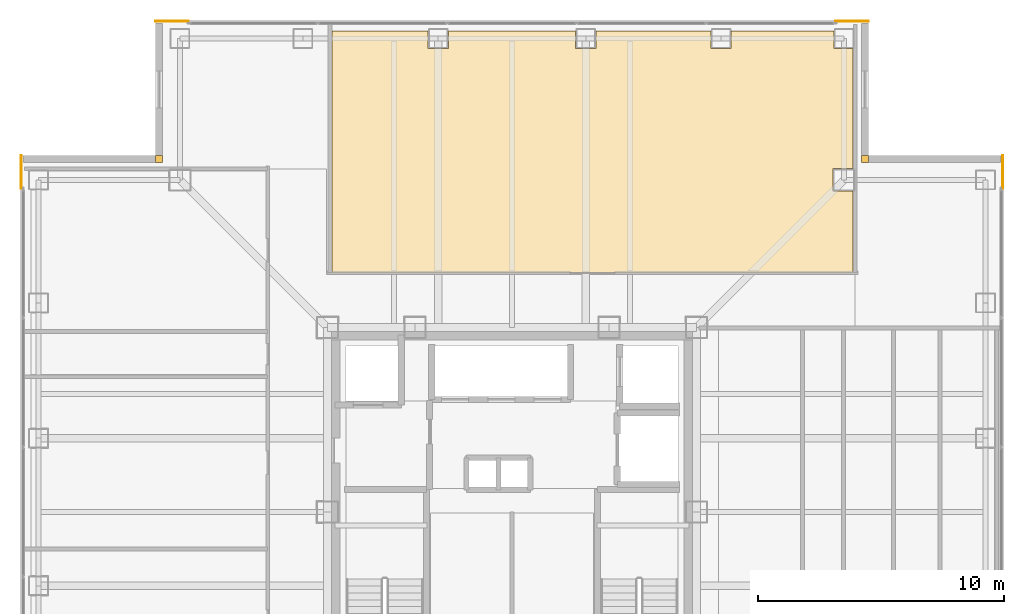
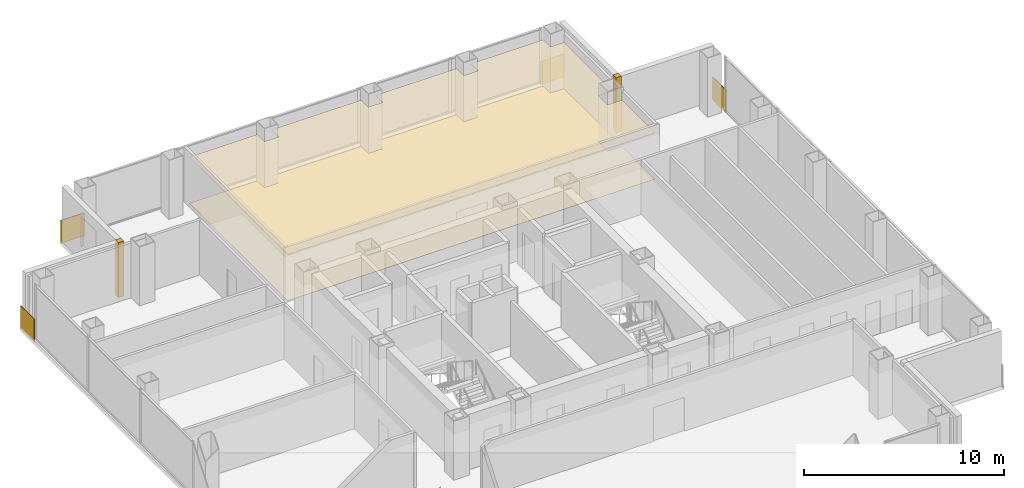
# One storey, part 17 of 17: 8 coverings.
"""IFC4 building model written with IfcOpenShell, lengths in metres."""

from ifc_helpers import new_model, si_unit, direction, frame, frame_2d, origin, place, context, subcontext, project, spatial, polyline, rectangle, outline, extrude, material, layer, layer_set, type_object, element, save


model = new_model("IFC4")

# Units and contexts
model_context = context("Model", 3, precision=1e-05, world=origin(), true_north=direction((0.0, 1.0)))
body_context = subcontext(model_context, "Body", "Model", "MODEL_VIEW")
ifc_project = project(units=[si_unit("LENGTHUNIT", "METRE"), si_unit("AREAUNIT", "SQUARE_METRE"), si_unit("VOLUMEUNIT", "CUBIC_METRE"), si_unit("PLANEANGLEUNIT", "RADIAN"), si_unit("MASSUNIT", "GRAM", prefix="KILO")], contexts=[model_context])

# Site, building, storey
site_placement = place(None, origin())
site = spatial("IfcSite", under=ifc_project, at=site_placement, CompositionType="ELEMENT")
building_placement = place(site_placement, origin())
building = spatial("IfcBuilding", under=site, at=building_placement, Name="Trevonay Congress Spire", CompositionType="ELEMENT")
storey_placement = place(building_placement, frame((0.0, 0.0, 209.39990234375)))
storey = spatial("IfcBuildingStorey", under=building, at=storey_placement, Name="L54", CompositionType="ELEMENT", Elevation=209.39990234375)

# Coverings
ifc_material_1 = material(Name="Acoustic Mineral Fibre Board", Category="gypsum")
ifc_layer_1 = layer(ifc_material_1, 0.02490234375, Name="Acoustic Mineral Fibre Board")
ifc_layer_set_1 = layer_set([ifc_layer_1], Name="Acoustic Mineral Fibre Board")
covering_type_1 = type_object("IfcCoveringType", Name="COV-CEIL-ACOUSTIC", PredefinedType="CEILING", material=ifc_layer_set_1)
covering_1_placement = place(storey_placement, frame((0.0, 0.0, 2.81005859375)))
element("IfcCovering", 1, at=covering_1_placement, inside=storey, type_object=covering_type_1, Name="L54 Sky Pilates and Fitness Studio Lounge acoustic suspended ceiling", PredefinedType="CEILING", context=body_context, shape_type="SweptSolid", body=[
    extrude(outline(polyline([(13.8701171875, 9.72998046875), (-7.320068359375, 9.72998046875), (-7.320068359375, 19.550048828125), (-3.409912109375, 19.550048828125), (-3.409912109375, 18.840087890625), (-2.590087890625, 18.840087890625), (-2.590087890625, 19.550048828125), (2.590087890625, 19.550048828125), (2.590087890625, 18.840087890625), (3.409912109375, 18.840087890625), (3.409912109375, 19.550048828125), (8.090087890625, 19.550048828125), (8.090087890625, 18.840087890625), (8.909912109375, 18.840087890625), (8.909912109375, 19.550048828125), (13.090087890625, 19.550048828125), (13.090087890625, 18.840087890625), (13.8701171875, 18.840087890625), (13.8701171875, 13.9599609375), (13.0400390625, 13.9599609375), (13.0400390625, 13.0400390625), (13.8701171875, 13.0400390625), (13.8701171875, 9.72998046875)])), origin(), (0.0, 0.0, 1.0), 0.025146484375),
])
ifc_material_2 = material(Name="Engineered Oak Flooring", Category="wood")
ifc_layer_2 = layer(ifc_material_2, 0.01806640625, Name="Engineered Oak Flooring")
ifc_layer_set_2 = layer_set([ifc_layer_2], Name="Engineered Oak Flooring")
covering_type_2 = type_object("IfcCoveringType", Name="COV-FLOOR-TIMBER", PredefinedType="FLOORING", material=ifc_layer_set_2)
covering_2_placement = place(storey_placement, origin())
element("IfcCovering", 2, at=covering_2_placement, inside=storey, type_object=covering_type_2, Name="L54 Sky Pilates and Fitness Studio Lounge floor finish", PredefinedType="FLOORING", context=body_context, shape_type="SweptSolid", body=[
    extrude(outline(polyline([(13.8701171875, 9.72998046875), (-7.320068359375, 9.72998046875), (-7.320068359375, 19.550048828125), (-3.409912109375, 19.550048828125), (-3.409912109375, 18.840087890625), (-2.590087890625, 18.840087890625), (-2.590087890625, 19.550048828125), (2.590087890625, 19.550048828125), (2.590087890625, 18.840087890625), (3.409912109375, 18.840087890625), (3.409912109375, 19.550048828125), (8.090087890625, 19.550048828125), (8.090087890625, 18.840087890625), (8.909912109375, 18.840087890625), (8.909912109375, 19.550048828125), (13.090087890625, 19.550048828125), (13.090087890625, 18.840087890625), (13.8701171875, 18.840087890625), (13.8701171875, 13.9599609375), (13.0400390625, 13.9599609375), (13.0400390625, 13.0400390625), (13.8701171875, 13.0400390625), (13.8701171875, 9.72998046875)])), origin(), (0.0, 0.0, 1.0), 0.01806640625),
])
ifc_material_3 = material(Name="Pale Anodised Aluminium EN AW-6063-T6", Category="aluminium")
ifc_layer_3 = layer(ifc_material_3, 0.0400390625, Name="Pale Anodised Aluminium EN AW-6063-T6")
ifc_layer_set_3 = layer_set([ifc_layer_3], Name="Pale Anodised Aluminium EN AW-6063-T6")
covering_type_3 = type_object("IfcCoveringType", Name="COV-SPANDREL-PALE-METAL", PredefinedType="CLADDING", material=ifc_layer_set_3)
covering_3_placement = place(storey_placement, origin())
element("IfcCovering", 3, at=covering_3_placement, inside=storey, type_object=covering_type_3, Name="L54 NE re-entrant notch corner closure trim", PredefinedType="CLADDING", context=body_context, shape_type="SweptSolid", body=[
    extrude(outline(polyline([(14.199951171875, 14.199951171875), (14.5, 14.199951171875), (14.5, 14.5), (14.199951171875, 14.5), (14.199951171875, 14.199951171875)])), origin(), (0.0, 0.0, 1.0), 3.360107421875),
])
for number, where, z_axis, x_axis, name in (
    (4, (19.93994140625, 13.14990234375, -0.14990234375), (0.0, 0.0, 1.0), (0.0, 1.0, 0.0), "L54 NE corner pier spandrel cladding 1"),
    (5, (13.14990234375, 19.93994140625, -0.14990234375), (0.0, 0.0, 1.0), (1.0, 0.0, 0.0), "L54 NE corner pier spandrel cladding 2"),
):
    element("IfcCovering", number, at=place(storey_placement, frame(where, z_axis=z_axis, x_axis=x_axis)), inside=storey, type_object=covering_type_3, Name=name, PredefinedType="CLADDING", context=body_context, shape_type="SweptSolid", body=[
        extrude(rectangle(XDim=1.35009765625, YDim=0.0400390625, at=frame_2d((0.675048828125, 0.0))), origin(), (0.0, 0.0, 1.0), 1.39990234375),
    ])
covering_4_placement = place(storey_placement, origin())
element("IfcCovering", 6, at=covering_4_placement, inside=storey, type_object=covering_type_3, Name="L54 NW re-entrant notch corner closure trim", PredefinedType="CLADDING", context=body_context, shape_type="SweptSolid", body=[
    extrude(outline(polyline([(-14.5, 14.199951171875), (-14.199951171875, 14.199951171875), (-14.199951171875, 14.5), (-14.5, 14.5), (-14.5, 14.199951171875)])), origin(), (0.0, 0.0, 1.0), 3.360107421875),
])
for number, where, z_axis, x_axis, name in (
    (7, (-19.93994140625, 13.14990234375, -0.14990234375), (0.0, 0.0, 1.0), (0.0, 1.0, 0.0), "L54 NW corner pier spandrel cladding 1"),
    (8, (-13.14990234375, 19.93994140625, -0.14990234375), (0.0, 0.0, 1.0), (-1.0, 0.0, 0.0), "L54 NW corner pier spandrel cladding 2"),
):
    element("IfcCovering", number, at=place(storey_placement, frame(where, z_axis=z_axis, x_axis=x_axis)), inside=storey, type_object=covering_type_3, Name=name, PredefinedType="CLADDING", context=body_context, shape_type="SweptSolid", body=[
        extrude(rectangle(XDim=1.35009765625, YDim=0.0400390625, at=frame_2d((0.675048828125, 0.0))), origin(), (0.0, 0.0, 1.0), 1.39990234375),
    ])

save(model, "model.ifc")
